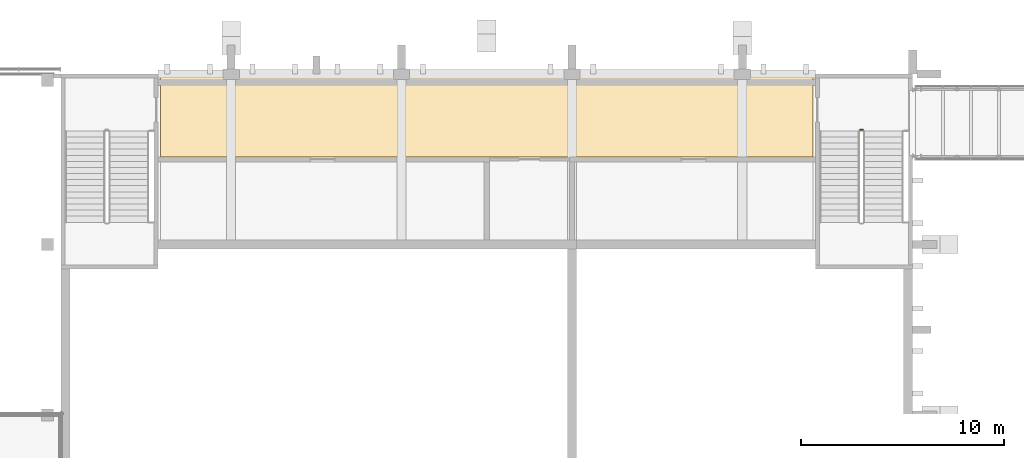
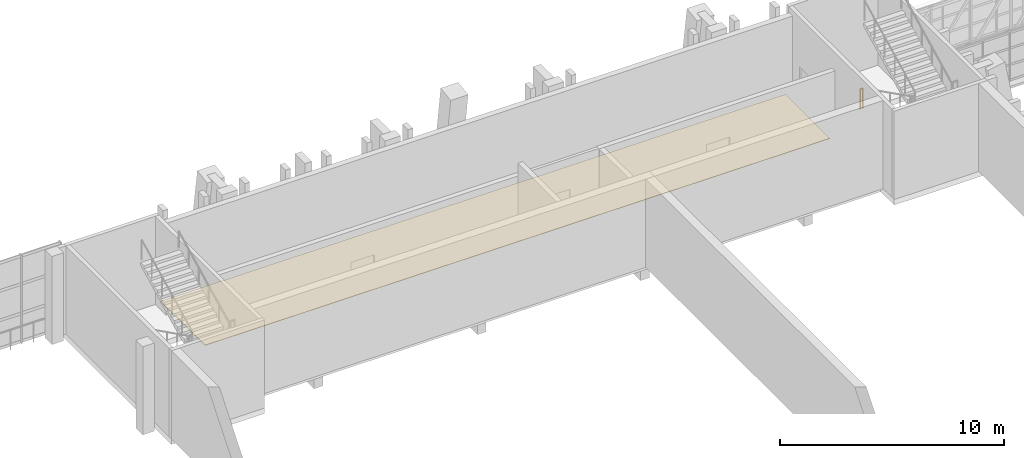
# One storey, part 86 of 91: 1 covering, 1 railing.
"""IFC4 building model written with IfcOpenShell, lengths in metres."""

from ifc_helpers import new_model, si_unit, direction, frame, origin, origin_2d, place, context, subcontext, project, spatial, polyline, circle, outline, extrude, material, layer, layer_set, type_object, element, save


model = new_model("IFC4")

# Units and contexts
model_context = context("Model", 3, precision=1e-05, world=origin(), true_north=direction((0.0, 1.0)))
body_context = subcontext(model_context, "Body", "Model", "MODEL_VIEW")
ifc_project = project(units=[si_unit("LENGTHUNIT", "METRE"), si_unit("AREAUNIT", "SQUARE_METRE"), si_unit("VOLUMEUNIT", "CUBIC_METRE"), si_unit("PLANEANGLEUNIT", "RADIAN"), si_unit("MASSUNIT", "GRAM", prefix="KILO")], contexts=[model_context])

# Site, building, storey
site_placement = place(None, origin())
site = spatial("IfcSite", under=ifc_project, at=site_placement, CompositionType="ELEMENT")
building_placement = place(site_placement, origin())
building = spatial("IfcBuilding", under=site, at=building_placement, Name="Kiln Court Media Centre", CompositionType="ELEMENT")
storey_placement = place(building_placement, frame((0.0, 0.0, 5.39990234375)))
storey = spatial("IfcBuildingStorey", under=building, at=storey_placement, Name="L01", CompositionType="ELEMENT", Elevation=5.39990234375)

# Covering
ifc_material_1 = material(Name="Terrazzo")
ifc_layer = layer(ifc_material_1, 0.02490234375)
ifc_layer_set = layer_set([ifc_layer], Name="Polished terrazzo floor finish 25")
covering_type = type_object("IfcCoveringType", Name="Polished terrazzo floor finish 25", PredefinedType="FLOORING", material=ifc_layer_set)
covering_placement = place(storey_placement, origin())
element("IfcCovering", 1, at=covering_placement, inside=storey, type_object=covering_type, Name="Rear Exit Corridor floor finish", PredefinedType="FLOORING", context=body_context, shape_type="SweptSolid", body=[
    extrude(outline(polyline([(63.719970703125, 63.1201171875), (95.8798828125, 63.1201171875), (95.8798828125, 67.080078125), (63.719970703125, 67.080078125), (63.719970703125, 63.1201171875)])), origin(), (0.0, 0.0, 1.0), 0.025146484375),
])

# Railing
ifc_material_2 = material(Name="Steel S275", Category="steel")
railing_type = type_object("IfcRailingType", Name="Steel S275 stair guard 1100", PredefinedType="GUARDRAIL", material=ifc_material_2)
railing_placement = place(storey_placement, frame((98.199951171875, 64.449951171875, 0.0)))
element("IfcRailing", 2, at=railing_placement, inside=storey, type_object=railing_type, Name="ST-12 stair guard", PredefinedType="GUARDRAIL", context=body_context, shape_type="SweptSolid", body=[
    extrude(circle(Radius=0.02392578125, at=origin_2d()), frame((0.0, 0.0, 1.076171875), z_axis=(1.0, 0.0, 0.0), x_axis=(0.0, 1.0, 0.0)), (0.0, 0.0, 1.0), 0.150146484375),
    extrude(circle(Radius=0.02099609375, at=origin_2d()), origin(), (0.0, 0.0, 1.0), 1.052001953125),
    extrude(circle(Radius=0.02099609375, at=origin_2d()), frame((0.150146484375, 0.0, 0.0)), (0.0, 0.0, 1.0), 1.052001953125),
])

save(model, "model.ifc")
